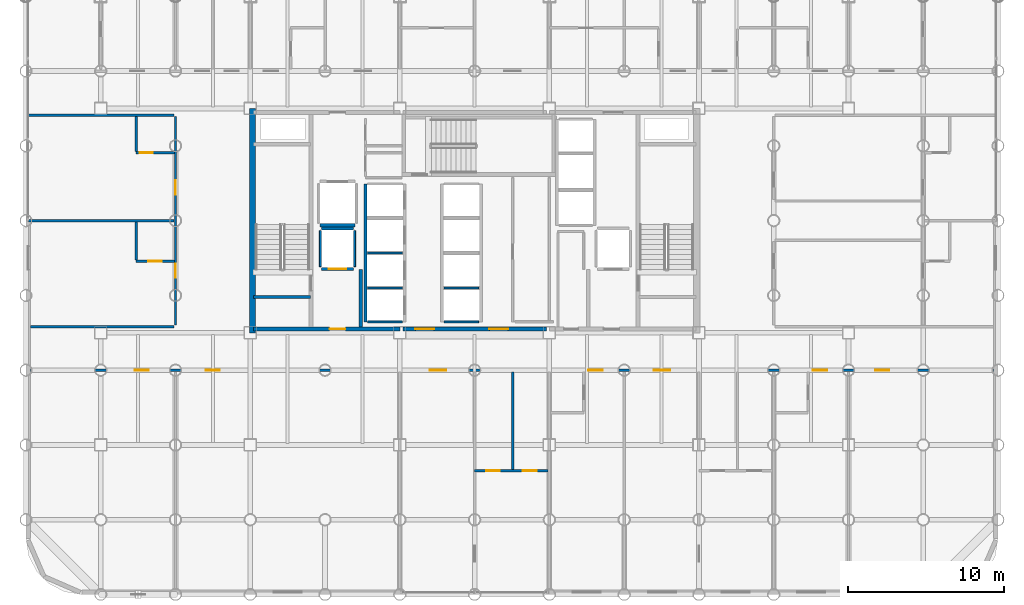
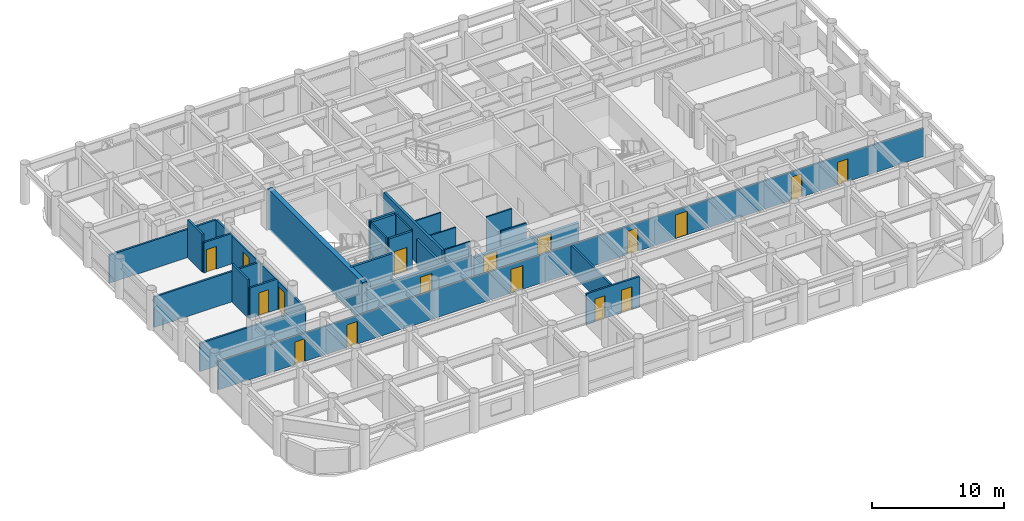
# One storey, part 15 of 20: 27 walls, 17 doors, 17 openings.
"""IFC4 building model written with IfcOpenShell, lengths in metres."""

import ifcopenshell
import ifcopenshell.guid

model = None  # the IFC model being written
_history = None  # IfcOwnerHistory: only IFC2X3 demands one
_inside = {}  # id of a spatial element -> (the spatial element, [elements in it])
_under = {}  # id of a project, library or spatial element -> (it, [spatial elements below it])
_declared = {}  # id of a project -> (the project, [libraries it declares])
_typed = {}  # id of a type object -> (the type object, [elements of that type])
_made_of = {}  # id of a material, layer set ... -> (it, [elements and type objects made of it])


def new_model(schema):
    """Start an empty IFC model of exactly this schema.

    Asked for "IFC4X3", IfcOpenShell would pick the latest addendum, in which some entities
    have other attributes; the version numbers below select the first issue.
    IFC2X3 requires an IfcOwnerHistory on every rooted entity: one is made here for all.
    """
    global model, _history
    if schema == "IFC4X3":
        model = ifcopenshell.file(schema_version=(4, 3, 0, 0))
    else:
        model = ifcopenshell.file(schema=schema)
    _inside.clear()
    _under.clear()
    _declared.clear()
    _typed.clear()
    _made_of.clear()
    _history = None
    if model.schema == "IFC2X3":
        org = make("IfcOrganization", Name="unknown")
        user = make(
            "IfcPersonAndOrganization",
            ThePerson=make("IfcPerson", FamilyName="unknown"),
            TheOrganization=org,
        )
        app = make(
            "IfcApplication",
            ApplicationDeveloper=org,
            Version="unknown",
            ApplicationFullName="unknown",
            ApplicationIdentifier="unknown",
        )
        _history = make(
            "IfcOwnerHistory",
            OwningUser=user,
            OwningApplication=app,
            ChangeAction="ADDED",
            CreationDate=0,
        )
    return model


def make(cls, **values):
    """One entity of the class cls with the attributes given. An attribute that is None is left unset."""
    return model.create_entity(
        cls, **{name: value for name, value in values.items() if value is not None}
    )


def rooted(cls, **values):
    """An entity with a GlobalId (a new one), such as an element, a storey or a relation."""
    return make(cls, GlobalId=ifcopenshell.guid.new(), OwnerHistory=_history, **values)


def si_unit(unit_type, name, prefix=None):
    """IfcSIUnit, for example si_unit("LENGTHUNIT", "METRE", prefix="MILLI")."""
    return make("IfcSIUnit", UnitType=unit_type, Prefix=prefix, Name=name)


def assignment(units):
    """IfcUnitAssignment: the units of a project."""
    return None if units is None else make("IfcUnitAssignment", Units=units)


def point(xyz):
    """IfcCartesianPoint."""
    return None if xyz is None else make("IfcCartesianPoint", Coordinates=xyz)


def direction(xyz):
    """IfcDirection."""
    return None if xyz is None else make("IfcDirection", DirectionRatios=xyz)


def frame(location, z_axis=None, x_axis=None):
    """IfcAxis2Placement3D, a coordinate frame: its origin and axes. An axis left out is left unset."""
    return make(
        "IfcAxis2Placement3D",
        Location=point(location),
        Axis=direction(z_axis),
        RefDirection=direction(x_axis),
    )


def frame_2d(location, x_axis=None):
    """IfcAxis2Placement2D, a coordinate frame in the plane: its origin and x axis."""
    return make(
        "IfcAxis2Placement2D", Location=point(location), RefDirection=direction(x_axis)
    )


def origin():
    """The frame at (0, 0, 0) with its axes left unset."""
    return frame((0.0, 0.0, 0.0))


def place(relative_to, where):
    """IfcLocalPlacement: puts the frame where relative to a parent placement (None: the world)."""
    return make(
        "IfcLocalPlacement", PlacementRelTo=relative_to, RelativePlacement=where
    )


def context(
    kind, dimensions, precision=None, world=None, true_north=None, identifier=None
):
    """IfcGeometricRepresentationContext, for example the 3D "Model" context."""
    return make(
        "IfcGeometricRepresentationContext",
        ContextIdentifier=identifier,
        ContextType=kind,
        CoordinateSpaceDimension=dimensions,
        Precision=precision,
        WorldCoordinateSystem=world,
        TrueNorth=true_north,
    )


def subcontext(parent, identifier, kind, view, scale=None):
    """IfcGeometricRepresentationSubContext, for example "Body" below "Model"."""
    return make(
        "IfcGeometricRepresentationSubContext",
        ContextIdentifier=identifier,
        ContextType=kind,
        ParentContext=parent,
        TargetScale=scale,
        TargetView=view,
    )


def project(units=None, contexts=None):
    """IfcProject with its units and contexts."""
    return rooted(
        "IfcProject",
        Name="project",
        RepresentationContexts=contexts,
        UnitsInContext=assignment(units),
    )


def spatial(cls, under=None, at=None, **own):
    """A site, building, storey or space (cls), placed at a placement, below another one or the project."""
    s = rooted(cls, ObjectPlacement=at, **own)
    if under is not None:
        _under.setdefault(under.id(), (under, []))[1].append(s)
    return s


def profile(cls, at=None, kind="AREA", **sizes):
    """A parametric profile (cls). Its sizes go by their IFC names, for example OverallWidth=200.0."""
    return make(cls, ProfileType=kind, Position=at, **sizes)


def rectangle(**sizes):
    """IfcRectangleProfileDef."""
    return profile("IfcRectangleProfileDef", **sizes)


def extrude(swept, where, along, depth):
    """IfcExtrudedAreaSolid: the profile swept, set in the frame where, extruded along a direction by depth."""
    return make(
        "IfcExtrudedAreaSolid",
        SweptArea=swept,
        Position=where,
        ExtrudedDirection=direction(along),
        Depth=depth,
    )


def shape(context_of_items, identifier, shape_type, items):
    """IfcShapeRepresentation: the items that make up one representation, for example the "Body"."""
    return make(
        "IfcShapeRepresentation",
        ContextOfItems=context_of_items,
        RepresentationIdentifier=identifier,
        RepresentationType=shape_type,
        Items=items,
    )


def material(Name=None, Category=None):
    """IfcMaterial."""
    return make("IfcMaterial", Name=Name, Category=Category)


def layer(
    of_material, thickness, ventilated=None, Name=None, Category=None, Priority=None
):
    """IfcMaterialLayer: one layer of a wall or slab, of a material (None: an air gap)."""
    return make(
        "IfcMaterialLayer",
        Material=of_material,
        LayerThickness=thickness,
        IsVentilated=ventilated,
        Name=Name,
        Category=Category,
        Priority=Priority,
    )


def layer_set(layers, Name=None):
    """IfcMaterialLayerSet."""
    return make("IfcMaterialLayerSet", MaterialLayers=layers, LayerSetName=Name)


def made_of(thing, what):
    """Note that an element or type object is made of a material, layer set ...; save() writes the relation."""
    if what is not None:
        _made_of.setdefault(what.id(), (what, []))[1].append(thing)
    return thing


def type_object(cls, material=None, **own):
    """A type object (cls), such as IfcWallType, which elements share."""
    return made_of(rooted(cls, **own), material)


def element(
    cls,
    number,
    at=None,
    inside=None,
    cuts=None,
    type_object=None,
    material=None,
    context=None,
    identifier="Body",
    shape_type=None,
    held_by="IfcProductDefinitionShape",
    body=None,
    shapes=None,
    **own,
):
    """One element of the class cls, such as IfcWall. Its Tag is "e" and its number.

    at: its placement. inside: the storey or other place that contains it. cuts: it is an
    opening in that element (IfcRelVoidsElement). A single representation is given by context,
    identifier, shape_type and body (its items); several are given by shapes. held_by: the class
    of the entity that holds the representations. save() writes the other relations.
    """
    e = rooted(cls, Tag="e%d" % number, ObjectPlacement=at, **own)
    if body is not None:
        shapes = [shape(context, identifier, shape_type, body)]
    if shapes is not None:
        e.Representation = make(held_by, Representations=shapes)
    if inside is not None:
        _inside.setdefault(inside.id(), (inside, []))[1].append(e)
    if cuts is not None:
        rooted(
            "IfcRelVoidsElement", RelatingBuildingElement=cuts, RelatedOpeningElement=e
        )
    if type_object is not None:
        _typed.setdefault(type_object.id(), (type_object, []))[1].append(e)
    return made_of(e, material)


def fill(opening, filler):
    """IfcRelFillsElement: the door or window that sits in an opening."""
    return rooted(
        "IfcRelFillsElement",
        RelatingOpeningElement=opening,
        RelatedBuildingElement=filler,
    )


def aggregate(whole, parts):
    """IfcRelAggregates: a whole, such as a stair, and the parts it consists of."""
    return rooted("IfcRelAggregates", RelatingObject=whole, RelatedObjects=parts)


def save(model, path):
    """Write the relations noted so far, then the file.

    IfcRelAggregates (storeys below a building ...), IfcRelContainedInSpatialStructure (elements
    in a storey), IfcRelDefinesByType, IfcRelAssociatesMaterial and IfcRelDeclares: one each for
    every whole, place, type object, material and project.
    """
    for whole, parts in _under.values():
        aggregate(whole, parts)
    for where, things in _inside.values():
        rooted(
            "IfcRelContainedInSpatialStructure",
            RelatedElements=things,
            RelatingStructure=where,
        )
    for kind, things in _typed.values():
        rooted("IfcRelDefinesByType", RelatedObjects=things, RelatingType=kind)
    for what, things in _made_of.values():
        rooted("IfcRelAssociatesMaterial", RelatedObjects=things, RelatingMaterial=what)
    for by, libraries in _declared.values():
        rooted("IfcRelDeclares", RelatingContext=by, RelatedDefinitions=libraries)
    model.write(path)


model = new_model("IFC4")

# Units and contexts
model_context = context("Model", 3, precision=1e-05, world=origin(), true_north=direction((0.0, 1.0)))
body_context = subcontext(model_context, "Body", "Model", "MODEL_VIEW")
ifc_project = project(units=[si_unit("LENGTHUNIT", "METRE"), si_unit("AREAUNIT", "SQUARE_METRE"), si_unit("VOLUMEUNIT", "CUBIC_METRE"), si_unit("PLANEANGLEUNIT", "RADIAN"), si_unit("MASSUNIT", "GRAM", prefix="KILO")], contexts=[model_context])

# Site, building, storey
site_placement = place(None, origin())
site = spatial("IfcSite", under=ifc_project, at=site_placement, CompositionType="ELEMENT")
building_placement = place(site_placement, origin())
building = spatial("IfcBuilding", under=site, at=building_placement, Name="Kallvorn Hotel Tower", CompositionType="ELEMENT")
storey_placement = place(building_placement, frame((0.0, 0.0, 78.10009765625)))
storey = spatial("IfcBuildingStorey", under=building, at=storey_placement, Name="L18", CompositionType="ELEMENT", Elevation=78.10009765625)

# Wall
ifc_material_1 = material(Name="Concrete C50/60", Category="concrete")
ifc_layer_1 = layer(ifc_material_1, 0.39990234375)
ifc_layer_set_1 = layer_set([ifc_layer_1], Name="WL_CORE_400")
wall_type_1 = type_object("IfcWallType", Name="WL_CORE_400", PredefinedType="SHEAR", material=ifc_layer_set_1)
wall_1_placement = place(storey_placement, frame((-14.264892578125, -7.199951171875, -0.18017578125), z_axis=(0.0, 0.0, 1.0), x_axis=(0.0, 1.0, 0.0)))
element("IfcWall", 1, at=wall_1_placement, inside=storey, type_object=wall_type_1, Name="L18 Core West Shear Wall", PredefinedType="SHEAR", context=body_context, shape_type="SweptSolid", body=[
    extrude(rectangle(XDim=14.39990234375, YDim=0.39990234375, at=frame_2d((7.199951171875, 0.0))), origin(), (0.0, 0.0, 1.0), 3.7001953125),
])

# Wall, openings, doors
ifc_material_2 = material(Name="Fire-rated double-layer acoustic gypsum drywall EI 60")
ifc_layer_2 = layer(ifc_material_2, 0.159912109375)
ifc_layer_set_2 = layer_set([ifc_layer_2], Name="WL_DEMISE_160")
wall_type_2 = type_object("IfcWallType", Name="WL_DEMISE_160", PredefinedType="PARTITIONING", material=ifc_layer_set_2)
wall_2_placement = place(storey_placement, frame((0.0, -16.050048828125, 0.0), z_axis=(0.0, 0.0, 1.0), x_axis=(1.0, 0.0, 0.0)))
wall_2 = element("IfcWall", 2, at=wall_2_placement, inside=storey, type_object=wall_type_2, Name="L18 Suite 1805 Executive Bedroom Partition", PredefinedType="PARTITIONING", context=body_context, shape_type="SweptSolid", body=[
    extrude(rectangle(XDim=4.719970703125, YDim=0.159912109375, at=frame_2d((2.35986328125, 0.0))), origin(), (0.0, 0.0, 1.0), 2.81982421875),
])
opening_1_placement = place(wall_2_placement, frame((0.75, 0.0, 0.0)))
opening_1 = element("IfcOpeningElement", 3, at=opening_1_placement, cuts=wall_2, Name="Opening BD-I", PredefinedType="OPENING", context=body_context, shape_type="SweptSolid", body=[
    extrude(rectangle(XDim=0.860107421875, YDim=2.10009765625, at=frame_2d((0.43017578125, 1.050048828125))), frame((0.0, 0.094970703125, 0.0), z_axis=(0.0, -1.0, 0.0), x_axis=(1.0, 0.0, 0.0)), (0.0, 0.0, 1.0), 0.18994140625),
])
opening_2_placement = place(wall_2_placement, frame((3.090087890625, 0.0, 0.0)))
opening_2 = element("IfcOpeningElement", 4, at=opening_2_placement, cuts=wall_2, Name="Opening SVD1", PredefinedType="OPENING", context=body_context, shape_type="SweptSolid", body=[
    extrude(rectangle(XDim=0.89990234375, YDim=2.10009765625, at=frame_2d((0.449951171875, 1.050048828125))), frame((0.0, 0.094970703125, 0.0), z_axis=(0.0, -1.0, 0.0), x_axis=(1.0, 0.0, 0.0)), (0.0, 0.0, 1.0), 0.18994140625),
])
ifc_material_3 = material(Name="Solid-core walnut veneer fire-rated timber door leaf", Category="wood")
door_type_1 = type_object("IfcDoorType", Name="DR_BATH_860x2100", OperationType="NOTDEFINED", PredefinedType="DOOR", material=ifc_material_3)
door_1_placement = place(opening_1_placement, origin())
door_1 = element("IfcDoor", 5, at=door_1_placement, inside=storey, type_object=door_type_1, Name="L18 Suite 1805 En-Suite Bathroom Door", OperationType="SINGLE_SWING_RIGHT", OverallHeight=2.10009765625, OverallWidth=0.860107421875, PredefinedType="DOOR", context=body_context, shape_type="SweptSolid", body=[
    extrude(rectangle(XDim=0.860107421875, YDim=2.10009765625, at=frame_2d((0.43017578125, 1.050048828125))), frame((0.0, 0.02490234375, 0.0), z_axis=(0.0, -1.0, 0.0), x_axis=(1.0, 0.0, 0.0)), (0.0, 0.0, 1.0), 0.050048828125),
])
fill(opening_1, door_1)
ifc_material_4 = material(Name="Galvanised painted steel fire-rated door assembly", Category="steel")
door_type_2 = type_object("IfcDoorType", Name="DR_SERV_900x2100", OperationType="NOTDEFINED", PredefinedType="DOOR", material=ifc_material_4)
door_2_placement = place(opening_2_placement, origin())
door_2 = element("IfcDoor", 6, at=door_2_placement, inside=storey, type_object=door_type_2, Name="L18 Suite 1805 Walk-In Dressing Closet Door", OperationType="SINGLE_SWING_LEFT", OverallHeight=2.10009765625, OverallWidth=0.89990234375, PredefinedType="DOOR", context=body_context, shape_type="SweptSolid", body=[
    extrude(rectangle(XDim=0.89990234375, YDim=2.10009765625, at=frame_2d((0.449951171875, 1.050048828125))), frame((0.0, 0.02490234375, 0.0), z_axis=(0.0, -1.0, 0.0), x_axis=(1.0, 0.0, 0.0)), (0.0, 0.0, 1.0), 0.050048828125),
])
fill(opening_2, door_2)

wall_3_placement = place(storey_placement, frame((-28.510009765625, -9.60009765625, 0.0), z_axis=(0.0, 0.0, 1.0), x_axis=(1.0, 0.0, 0.0)))
wall_3 = element("IfcWall", 7, at=wall_3_placement, inside=storey, type_object=wall_type_2, Name="L18 Suite 1805 Executive Living Salon Partition", PredefinedType="PARTITIONING", context=body_context, shape_type="SweptSolid", body=[
    extrude(rectangle(XDim=61.820068359375, YDim=0.159912109375, at=frame_2d((30.91015625, 0.0))), origin(), (0.0, 0.0, 1.0), 2.619873046875),
])
opening_3_placement = place(wall_3_placement, frame((6.679443359375, 0.0, 0.0)))
opening_3 = element("IfcOpeningElement", 8, at=opening_3_placement, cuts=wall_3, Name="Opening SVD1", PredefinedType="OPENING", context=body_context, shape_type="SweptSolid", body=[
    extrude(rectangle(XDim=0.89990234375, YDim=2.10009765625, at=frame_2d((0.449951171875, 1.050048828125))), frame((0.0, 0.094970703125, 0.0), z_axis=(0.0, -1.0, 0.0), x_axis=(1.0, 0.0, 0.0)), (0.0, 0.0, 1.0), 0.18994140625),
])
opening_4_placement = place(wall_3_placement, frame((54.240478515625, 0.0, 0.0)))
opening_4 = element("IfcOpeningElement", 9, at=opening_4_placement, cuts=wall_3, Name="Opening SVD1", PredefinedType="OPENING", context=body_context, shape_type="SweptSolid", body=[
    extrude(rectangle(XDim=0.89990234375, YDim=2.10009765625, at=frame_2d((0.449951171875, 1.050048828125))), frame((0.0, 0.094970703125, 0.0), z_axis=(0.0, -1.0, 0.0), x_axis=(1.0, 0.0, 0.0)), (0.0, 0.0, 1.0), 0.18994140625),
])
opening_5_placement = place(wall_3_placement, frame((11.260009765625, 0.0, 0.0)))
opening_5 = element("IfcOpeningElement", 10, at=opening_5_placement, cuts=wall_3, Name="Opening SVD1", PredefinedType="OPENING", context=body_context, shape_type="SweptSolid", body=[
    extrude(rectangle(XDim=0.89990234375, YDim=2.10009765625, at=frame_2d((0.449951171875, 1.050048828125))), frame((0.0, 0.094970703125, 0.0), z_axis=(0.0, -1.0, 0.0), x_axis=(1.0, 0.0, 0.0)), (0.0, 0.0, 1.0), 0.18994140625),
])
opening_6_placement = place(wall_3_placement, frame((25.625, 0.0, 0.0)))
opening_6 = element("IfcOpeningElement", 11, at=opening_6_placement, cuts=wall_3, Name="Opening GD2", PredefinedType="OPENING", context=body_context, shape_type="SweptSolid", body=[
    extrude(rectangle(XDim=1.050048828125, YDim=2.199951171875, at=frame_2d((0.52490234375, 1.10009765625))), frame((0.0, 0.094970703125, 0.0), z_axis=(0.0, -1.0, 0.0), x_axis=(1.0, 0.0, 0.0)), (0.0, 0.0, 1.0), 0.18994140625),
])
opening_7_placement = place(wall_3_placement, frame((35.820068359375, 0.0, 0.0)))
opening_7 = element("IfcOpeningElement", 12, at=opening_7_placement, cuts=wall_3, Name="Opening GD1", PredefinedType="OPENING", context=body_context, shape_type="SweptSolid", body=[
    extrude(rectangle(XDim=0.919921875, YDim=2.14990234375, at=frame_2d((0.4599609375, 1.074951171875))), frame((0.0, 0.094970703125, 0.0), z_axis=(0.0, -1.0, 0.0), x_axis=(1.0, 0.0, 0.0)), (0.0, 0.0, 1.0), 0.18994140625),
])
opening_8_placement = place(wall_3_placement, frame((40.02490234375, 0.0, 0.0)))
opening_8 = element("IfcOpeningElement", 13, at=opening_8_placement, cuts=wall_3, Name="Opening GD2", PredefinedType="OPENING", context=body_context, shape_type="SweptSolid", body=[
    extrude(rectangle(XDim=1.050048828125, YDim=2.199951171875, at=frame_2d((0.52490234375, 1.10009765625))), frame((0.0, 0.094970703125, 0.0), z_axis=(0.0, -1.0, 0.0), x_axis=(1.0, 0.0, 0.0)), (0.0, 0.0, 1.0), 0.18994140625),
])
opening_9_placement = place(wall_3_placement, frame((50.219970703125, 0.0, 0.0)))
opening_9 = element("IfcOpeningElement", 14, at=opening_9_placement, cuts=wall_3, Name="Opening GD1", PredefinedType="OPENING", context=body_context, shape_type="SweptSolid", body=[
    extrude(rectangle(XDim=0.919921875, YDim=2.14990234375, at=frame_2d((0.4599609375, 1.074951171875))), frame((0.0, 0.094970703125, 0.0), z_axis=(0.0, -1.0, 0.0), x_axis=(1.0, 0.0, 0.0)), (0.0, 0.0, 1.0), 0.18994140625),
])
ifc_material_5 = material(Name="Solid-core walnut veneer fire-rated timber door leaf", Category="wood")
door_type_3 = type_object("IfcDoorType", Name="DR_GUEST_920x2150", OperationType="NOTDEFINED", PredefinedType="DOOR", material=ifc_material_5)
door_3_placement = place(opening_7_placement, origin())
door_3 = element("IfcDoor", 15, at=door_3_placement, inside=storey, type_object=door_type_3, Name="L18 Suite 1806 Deluxe King Room Door", OperationType="SINGLE_SWING_RIGHT", OverallHeight=2.14990234375, OverallWidth=0.919921875, PredefinedType="DOOR", context=body_context, shape_type="SweptSolid", body=[
    extrude(rectangle(XDim=0.919921875, YDim=2.14990234375, at=frame_2d((0.4599609375, 1.074951171875))), frame((0.0, 0.02490234375, 0.0), z_axis=(0.0, -1.0, 0.0), x_axis=(1.0, 0.0, 0.0)), (0.0, 0.0, 1.0), 0.050048828125),
])
fill(opening_7, door_3)
door_4_placement = place(opening_9_placement, origin())
door_4 = element("IfcDoor", 16, at=door_4_placement, inside=storey, type_object=door_type_3, Name="L18 Suite 1808 Superior Twin Room Door", OperationType="SINGLE_SWING_RIGHT", OverallHeight=2.14990234375, OverallWidth=0.919921875, PredefinedType="DOOR", context=body_context, shape_type="SweptSolid", body=[
    extrude(rectangle(XDim=0.919921875, YDim=2.14990234375, at=frame_2d((0.4599609375, 1.074951171875))), frame((0.0, 0.02490234375, 0.0), z_axis=(0.0, -1.0, 0.0), x_axis=(1.0, 0.0, 0.0)), (0.0, 0.0, 1.0), 0.050048828125),
])
fill(opening_9, door_4)
door_5_placement = place(opening_3_placement, origin())
door_5 = element("IfcDoor", 17, at=door_5_placement, inside=storey, type_object=door_type_2, Name="L18 L18 South-West Botanical Bar Door", OperationType="SINGLE_SWING_RIGHT", OverallHeight=2.10009765625, OverallWidth=0.89990234375, PredefinedType="DOOR", context=body_context, shape_type="SweptSolid", body=[
    extrude(rectangle(XDim=0.89990234375, YDim=2.10009765625, at=frame_2d((0.449951171875, 1.050048828125))), frame((0.0, 0.02490234375, 0.0), z_axis=(0.0, -1.0, 0.0), x_axis=(1.0, 0.0, 0.0)), (0.0, 0.0, 1.0), 0.050048828125),
])
fill(opening_3, door_5)
door_6_placement = place(opening_4_placement, origin())
door_6 = element("IfcDoor", 18, at=door_6_placement, inside=storey, type_object=door_type_2, Name="L18 L18 South-East Sommelier Bar Door", OperationType="SINGLE_SWING_RIGHT", OverallHeight=2.10009765625, OverallWidth=0.89990234375, PredefinedType="DOOR", context=body_context, shape_type="SweptSolid", body=[
    extrude(rectangle(XDim=0.89990234375, YDim=2.10009765625, at=frame_2d((0.449951171875, 1.050048828125))), frame((0.0, 0.02490234375, 0.0), z_axis=(0.0, -1.0, 0.0), x_axis=(1.0, 0.0, 0.0)), (0.0, 0.0, 1.0), 0.050048828125),
])
fill(opening_4, door_6)
door_7_placement = place(opening_5_placement, origin())
door_7 = element("IfcDoor", 19, at=door_7_placement, inside=storey, type_object=door_type_2, Name="L18 L18 Panoramic Club Sky Lounge 1 Door", OperationType="SINGLE_SWING_LEFT", OverallHeight=2.10009765625, OverallWidth=0.89990234375, PredefinedType="DOOR", context=body_context, shape_type="SweptSolid", body=[
    extrude(rectangle(XDim=0.89990234375, YDim=2.10009765625, at=frame_2d((0.449951171875, 1.050048828125))), frame((0.0, 0.02490234375, 0.0), z_axis=(0.0, -1.0, 0.0), x_axis=(1.0, 0.0, 0.0)), (0.0, 0.0, 1.0), 0.050048828125),
])
fill(opening_5, door_7)
ifc_material_6 = material(Name="Solid-core walnut veneer fire-rated timber door leaf", Category="wood")
door_type_4 = type_object("IfcDoorType", Name="DR_SUITE_1050x2200", OperationType="NOTDEFINED", PredefinedType="DOOR", material=ifc_material_6)
door_8_placement = place(opening_6_placement, origin())
door_8 = element("IfcDoor", 20, at=door_8_placement, inside=storey, type_object=door_type_4, Name="L18 Suite 1805 Executive Living Salon Door", OperationType="SINGLE_SWING_RIGHT", OverallHeight=2.199951171875, OverallWidth=1.050048828125, PredefinedType="DOOR", context=body_context, shape_type="SweptSolid", body=[
    extrude(rectangle(XDim=1.050048828125, YDim=2.199951171875, at=frame_2d((0.52490234375, 1.10009765625))), frame((0.0, 0.02490234375, 0.0), z_axis=(0.0, -1.0, 0.0), x_axis=(1.0, 0.0, 0.0)), (0.0, 0.0, 1.0), 0.050048828125),
])
fill(opening_6, door_8)
door_9_placement = place(opening_8_placement, origin())
door_9 = element("IfcDoor", 21, at=door_9_placement, inside=storey, type_object=door_type_4, Name="L18 Suite 1807 Executive Living Salon Door", OperationType="SINGLE_SWING_LEFT", OverallHeight=2.199951171875, OverallWidth=1.050048828125, PredefinedType="DOOR", context=body_context, shape_type="SweptSolid", body=[
    extrude(rectangle(XDim=1.050048828125, YDim=2.199951171875, at=frame_2d((0.52490234375, 1.10009765625))), frame((0.0, 0.02490234375, 0.0), z_axis=(0.0, -1.0, 0.0), x_axis=(1.0, 0.0, 0.0)), (0.0, 0.0, 1.0), 0.050048828125),
])
fill(opening_8, door_9)

# Wall
wall_4_placement = place(storey_placement, frame((-28.510009765625, -6.800048828125, 0.0), z_axis=(0.0, 0.0, 1.0), x_axis=(1.0, 0.0, 0.0)))
element("IfcWall", 22, at=wall_4_placement, inside=storey, type_object=wall_type_2, Name="L18 Suite 1801 W Loggia King Room Partition", PredefinedType="PARTITIONING", context=body_context, shape_type="SweptSolid", body=[
    extrude(rectangle(XDim=9.22998046875, YDim=0.159912109375, at=frame_2d((4.614990234375, 0.0))), origin(), (0.0, 0.0, 1.0), 2.619873046875),
])

# Wall, opening, door
wall_5_placement = place(storey_placement, frame((-21.72998046875, -2.60009765625, 0.0), z_axis=(0.0, 0.0, 1.0), x_axis=(1.0, 0.0, 0.0)))
wall_5 = element("IfcWall", 23, at=wall_5_placement, inside=storey, type_object=wall_type_2, Name="L18 Suite 1801 W Loggia King Room Partition", PredefinedType="PARTITIONING", context=body_context, shape_type="SweptSolid", body=[
    extrude(rectangle(XDim=2.449951171875, YDim=0.159912109375, at=frame_2d((1.22509765625, 0.0))), origin(), (0.0, 0.0, 1.0), 2.81982421875),
])
opening_10_placement = place(wall_5_placement, frame((0.794921875, 0.0, 0.0)))
opening_10 = element("IfcOpeningElement", 24, at=opening_10_placement, cuts=wall_5, Name="Opening BD-I", PredefinedType="OPENING", context=body_context, shape_type="SweptSolid", body=[
    extrude(rectangle(XDim=0.860107421875, YDim=2.10009765625, at=frame_2d((0.43017578125, 1.050048828125))), frame((0.0, 0.094970703125, 0.0), z_axis=(0.0, -1.0, 0.0), x_axis=(1.0, 0.0, 0.0)), (0.0, 0.0, 1.0), 0.18994140625),
])
door_10_placement = place(opening_10_placement, origin())
door_10 = element("IfcDoor", 25, at=door_10_placement, inside=storey, type_object=door_type_1, Name="L18 Suite 1801 En-Suite Bathroom Door", OperationType="SINGLE_SWING_LEFT", OverallHeight=2.10009765625, OverallWidth=0.860107421875, PredefinedType="DOOR", context=body_context, shape_type="SweptSolid", body=[
    extrude(rectangle(XDim=0.860107421875, YDim=2.10009765625, at=frame_2d((0.43017578125, 1.050048828125))), frame((0.0, 0.02490234375, 0.0), z_axis=(0.0, -1.0, 0.0), x_axis=(1.0, 0.0, 0.0)), (0.0, 0.0, 1.0), 0.050048828125),
])
fill(opening_10, door_10)

# Wall
wall_6_placement = place(storey_placement, frame((-28.6298828125, 0.0, 0.0), z_axis=(0.0, 0.0, 1.0), x_axis=(1.0, 0.0, 0.0)))
element("IfcWall", 26, at=wall_6_placement, inside=storey, type_object=wall_type_2, Name="L18 Suite 1802 W Andean Twin Room Partition", PredefinedType="PARTITIONING", context=body_context, shape_type="SweptSolid", body=[
    extrude(rectangle(XDim=9.349853515625, YDim=0.159912109375, at=frame_2d((4.6748046875, 0.0))), origin(), (0.0, 0.0, 1.0), 2.81982421875),
])

# Wall, opening, door
wall_7_placement = place(storey_placement, frame((-21.72998046875, 4.35009765625, 0.0), z_axis=(0.0, 0.0, 1.0), x_axis=(1.0, 0.0, 0.0)))
wall_7 = element("IfcWall", 27, at=wall_7_placement, inside=storey, type_object=wall_type_2, Name="L18 Suite 1802 W Andean Twin Room Partition", PredefinedType="PARTITIONING", context=body_context, shape_type="SweptSolid", body=[
    extrude(rectangle(XDim=2.449951171875, YDim=0.159912109375, at=frame_2d((1.22509765625, 0.0))), origin(), (0.0, 0.0, 1.0), 2.81982421875),
])
opening_11_placement = place(wall_7_placement, frame((0.219970703125, 0.0, 0.0)))
opening_11 = element("IfcOpeningElement", 28, at=opening_11_placement, cuts=wall_7, Name="Opening BD-I", PredefinedType="OPENING", context=body_context, shape_type="SweptSolid", body=[
    extrude(rectangle(XDim=0.860107421875, YDim=2.10009765625, at=frame_2d((0.43017578125, 1.050048828125))), frame((0.0, 0.094970703125, 0.0), z_axis=(0.0, -1.0, 0.0), x_axis=(1.0, 0.0, 0.0)), (0.0, 0.0, 1.0), 0.18994140625),
])
door_11_placement = place(opening_11_placement, origin())
door_11 = element("IfcDoor", 29, at=door_11_placement, inside=storey, type_object=door_type_1, Name="L18 Suite 1802 En-Suite Bathroom Door", OperationType="SINGLE_SWING_RIGHT", OverallHeight=2.10009765625, OverallWidth=0.860107421875, PredefinedType="DOOR", context=body_context, shape_type="SweptSolid", body=[
    extrude(rectangle(XDim=0.860107421875, YDim=2.10009765625, at=frame_2d((0.43017578125, 1.050048828125))), frame((0.0, 0.02490234375, 0.0), z_axis=(0.0, -1.0, 0.0), x_axis=(1.0, 0.0, 0.0)), (0.0, 0.0, 1.0), 0.050048828125),
])
fill(opening_11, door_11)

# Walls
wall_8_placement = place(storey_placement, frame((-28.6298828125, 6.75830078125, 0.0), z_axis=(0.0, 0.0, 1.0), x_axis=(1.0, 0.0, 0.0)))
element("IfcWall", 30, at=wall_8_placement, inside=storey, type_object=wall_type_2, Name="L18 Suite 1802 W Andean Twin Room Partition", PredefinedType="PARTITIONING", context=body_context, shape_type="SweptSolid", body=[
    extrude(rectangle(XDim=9.349853515625, YDim=0.159912109375, at=frame_2d((4.6748046875, 0.0))), origin(), (0.0, 0.0, 1.0), 2.619873046875),
])
wall_9_placement = place(storey_placement, frame((-21.72998046875, -2.514892578125, 0.0), z_axis=(0.0, 0.0, 1.0), x_axis=(0.0, 1.0, 0.0)))
element("IfcWall", 31, at=wall_9_placement, inside=storey, type_object=wall_type_2, Name="L18 Suite 1801 W Loggia King Room Partition", PredefinedType="PARTITIONING", context=body_context, shape_type="SweptSolid", body=[
    extrude(rectangle(XDim=2.414794921875, YDim=0.159912109375, at=frame_2d((1.20751953125, 0.0))), origin(), (0.0, 0.0, 1.0), 3.52001953125),
])
wall_10_placement = place(storey_placement, frame((-21.72998046875, 4.43505859375, 0.0), z_axis=(0.0, 0.0, 1.0), x_axis=(0.0, 1.0, 0.0)))
element("IfcWall", 32, at=wall_10_placement, inside=storey, type_object=wall_type_2, Name="L18 Suite 1802 W Andean Twin Room Partition", PredefinedType="PARTITIONING", context=body_context, shape_type="SweptSolid", body=[
    extrude(rectangle(XDim=2.23828125, YDim=0.159912109375, at=frame_2d((1.119140625, 0.0))), origin(), (0.0, 0.0, 1.0), 3.52001953125),
])

# Wall, openings, doors
wall_11_placement = place(storey_placement, frame((-19.199951171875, -6.715087890625, 0.0), z_axis=(0.0, 0.0, 1.0), x_axis=(0.0, 1.0, 0.0)))
wall_11 = element("IfcWall", 33, at=wall_11_placement, inside=storey, type_object=wall_type_2, Name="L18 Suite 1801 W Loggia King Room Partition", PredefinedType="PARTITIONING", context=body_context, shape_type="SweptSolid", body=[
    extrude(rectangle(XDim=13.388427734375, YDim=0.159912109375, at=frame_2d((6.6943359375, 0.0))), origin(), (0.0, 0.0, 1.0), 2.619873046875),
])
opening_12_placement = place(wall_11_placement, frame((3.034912109375, 0.0, 0.0)))
opening_12 = element("IfcOpeningElement", 34, at=opening_12_placement, cuts=wall_11, Name="Opening GD1", PredefinedType="OPENING", context=body_context, shape_type="SweptSolid", body=[
    extrude(rectangle(XDim=0.919921875, YDim=2.14990234375, at=frame_2d((0.4599609375, 1.074951171875))), frame((0.0, 0.094970703125, 0.0), z_axis=(0.0, -1.0, 0.0), x_axis=(1.0, 0.0, 0.0)), (0.0, 0.0, 1.0), 0.18994140625),
])
opening_13_placement = place(wall_11_placement, frame((8.385009765625, 0.0, 0.0)))
opening_13 = element("IfcOpeningElement", 35, at=opening_13_placement, cuts=wall_11, Name="Opening GD1", PredefinedType="OPENING", context=body_context, shape_type="SweptSolid", body=[
    extrude(rectangle(XDim=0.919921875, YDim=2.14990234375, at=frame_2d((0.4599609375, 1.074951171875))), frame((0.0, 0.094970703125, 0.0), z_axis=(0.0, -1.0, 0.0), x_axis=(1.0, 0.0, 0.0)), (0.0, 0.0, 1.0), 0.18994140625),
])
door_12_placement = place(opening_12_placement, origin())
door_12 = element("IfcDoor", 36, at=door_12_placement, inside=storey, type_object=door_type_3, Name="L18 Suite 1801 W Loggia King Room Door", OperationType="SINGLE_SWING_RIGHT", OverallHeight=2.14990234375, OverallWidth=0.919921875, PredefinedType="DOOR", context=body_context, shape_type="SweptSolid", body=[
    extrude(rectangle(XDim=0.919921875, YDim=2.14990234375, at=frame_2d((0.4599609375, 1.074951171875))), frame((0.0, 0.02490234375, 0.0), z_axis=(0.0, -1.0, 0.0), x_axis=(1.0, 0.0, 0.0)), (0.0, 0.0, 1.0), 0.050048828125),
])
fill(opening_12, door_12)
door_13_placement = place(opening_13_placement, origin())
door_13 = element("IfcDoor", 37, at=door_13_placement, inside=storey, type_object=door_type_3, Name="L18 Suite 1802 W Andean Twin Room Door", OperationType="SINGLE_SWING_RIGHT", OverallHeight=2.14990234375, OverallWidth=0.919921875, PredefinedType="DOOR", context=body_context, shape_type="SweptSolid", body=[
    extrude(rectangle(XDim=0.919921875, YDim=2.14990234375, at=frame_2d((0.4599609375, 1.074951171875))), frame((0.0, 0.02490234375, 0.0), z_axis=(0.0, -1.0, 0.0), x_axis=(1.0, 0.0, 0.0)), (0.0, 0.0, 1.0), 0.050048828125),
])
fill(opening_13, door_13)

# Walls
ifc_material_7 = material(Name="Concrete C40/50", Category="concrete")
ifc_layer_3 = layer(ifc_material_7, 0.219970703125)
ifc_layer_set_3 = layer_set([ifc_layer_3], Name="WL_FFL_220")
wall_type_3 = type_object("IfcWallType", Name="WL_FFL_220", PredefinedType="SOLIDWALL", material=ifc_layer_set_3)
wall_12_placement = place(storey_placement, frame((-7.300048828125, -6.820068359375, 0.0), z_axis=(0.0, 0.0, 1.0), x_axis=(0.0, 1.0, 0.0)))
element("IfcWall", 38, at=wall_12_placement, inside=storey, type_object=wall_type_3, Name="L18 Firefighting Lobby West Divider Wall", PredefinedType="SOLIDWALL", context=body_context, shape_type="SweptSolid", body=[
    extrude(rectangle(XDim=3.670166015625, YDim=0.219970703125, at=frame_2d((1.8349609375, 0.0))), origin(), (0.0, 0.0, 1.0), 2.619873046875),
])
ifc_material_8 = material(Name="Concrete C40/50", Category="concrete")
ifc_layer_4 = layer(ifc_material_8, 0.199951171875)
ifc_layer_set_4 = layer_set([ifc_layer_4], Name="WL_HOIST_200")
wall_type_4 = type_object("IfcWallType", Name="WL_HOIST_200", PredefinedType="SOLIDWALL", material=ifc_layer_set_4)
wall_13_placement = place(storey_placement, frame((-14.199951171875, -4.89990234375, -0.18017578125), z_axis=(0.0, 0.0, 1.0), x_axis=(1.0, 0.0, 0.0)))
element("IfcWall", 39, at=wall_13_placement, inside=storey, type_object=wall_type_4, Name="L18 Stair ST1 South Wall", PredefinedType="SOLIDWALL", context=body_context, shape_type="SweptSolid", body=[
    extrude(rectangle(XDim=3.64990234375, YDim=0.199951171875, at=frame_2d((1.824951171875, 0.0))), origin(), (0.0, 0.0, 1.0), 3.7001953125),
])
wall_14_placement = place(storey_placement, frame((-7.0, -6.5, 0.0), z_axis=(0.0, 0.0, 1.0), x_axis=(0.0, 1.0, 0.0)))
element("IfcWall", 40, at=wall_14_placement, inside=storey, type_object=wall_type_4, Name="L18 Lift Bank B1 Rear Shaft Wall", PredefinedType="SOLIDWALL", context=body_context, shape_type="SweptSolid", body=[
    extrude(rectangle(XDim=8.85009765625, YDim=0.199951171875, at=frame_2d((4.425048828125, 0.0))), origin(), (0.0, 0.0, 1.0), 3.52001953125),
])

# Wall, opening, door
wall_15_placement = place(storey_placement, frame((-9.820068359375, -3.10009765625, 0.0), z_axis=(0.0, 0.0, 1.0), x_axis=(1.0, 0.0, 0.0)))
wall_15 = element("IfcWall", 41, at=wall_15_placement, inside=storey, type_object=wall_type_4, Name="L18 FL-1 Landing Wall", PredefinedType="SOLIDWALL", context=body_context, shape_type="SweptSolid", body=[
    extrude(rectangle(XDim=2.0400390625, YDim=0.199951171875, at=frame_2d((1.02001953125, 0.0))), origin(), (0.0, 0.0, 1.0), 3.52001953125),
])
opening_14_placement = place(wall_15_placement, frame((0.469970703125, 0.0, 0.0)))
opening_14 = element("IfcOpeningElement", 42, at=opening_14_placement, cuts=wall_15, Name="Opening LD-FL-1", PredefinedType="OPENING", context=body_context, shape_type="SweptSolid", body=[
    extrude(rectangle(XDim=1.10009765625, YDim=2.199951171875, at=frame_2d((0.550048828125, 1.10009765625))), frame((0.0, 0.114990234375, 0.0), z_axis=(0.0, -1.0, 0.0), x_axis=(1.0, 0.0, 0.0)), (0.0, 0.0, 1.0), 0.22998046875),
])
ifc_material_9 = material(Name="Brushed stainless-steel automatic sliding lift landing door", Category="steel")
door_type_5 = type_object("IfcDoorType", Name="LD_PASS_1100x2200", OperationType="SLIDING_TO_LEFT", PredefinedType="DOOR", material=ifc_material_9)
door_14_placement = place(opening_14_placement, origin())
door_14 = element("IfcDoor", 43, at=door_14_placement, inside=storey, type_object=door_type_5, Name="L18 Lift Landing Sliding Door LD-FL-1", OperationType="SLIDING_TO_LEFT", OverallHeight=2.199951171875, OverallWidth=1.10009765625, PredefinedType="DOOR", context=body_context, shape_type="SweptSolid", body=[
    extrude(rectangle(XDim=1.10009765625, YDim=2.199951171875, at=frame_2d((0.550048828125, 1.10009765625))), frame((0.0, 0.02490234375, 0.0), z_axis=(0.0, -1.0, 0.0), x_axis=(1.0, 0.0, 0.0)), (0.0, 0.0, 1.0), 0.050048828125),
])
fill(opening_14, door_14)

# Walls
wall_16_placement = place(storey_placement, frame((-9.820068359375, -0.5, 0.0), z_axis=(0.0, 0.0, 1.0), x_axis=(1.0, 0.0, 0.0)))
element("IfcWall", 44, at=wall_16_placement, inside=storey, type_object=wall_type_4, Name="L18 FL-1 Rear Shaft Wall", PredefinedType="SOLIDWALL", context=body_context, shape_type="SweptSolid", body=[
    extrude(rectangle(XDim=2.0400390625, YDim=0.199951171875, at=frame_2d((1.02001953125, 0.0))), origin(), (0.0, 0.0, 1.0), 3.52001953125),
])
wall_17_placement = place(storey_placement, frame((-9.919921875, -0.300048828125, 0.0), z_axis=(0.0, 0.0, 1.0), x_axis=(1.0, 0.0, 0.0)))
element("IfcWall", 45, at=wall_17_placement, inside=storey, type_object=wall_type_4, Name="L18 SV-01 Rear Shaft Wall", PredefinedType="SOLIDWALL", context=body_context, shape_type="SweptSolid", body=[
    extrude(rectangle(XDim=2.239990234375, YDim=0.199951171875, at=frame_2d((1.1201171875, 0.0))), origin(), (0.0, 0.0, 1.0), 3.52001953125),
])
ifc_material_10 = material(Name="Fire-rated double-layer acoustic gypsum drywall EI 60")
ifc_layer_5 = layer(ifc_material_10, 0.1201171875)
ifc_layer_set_5 = layer_set([ifc_layer_5], Name="WL_INT_120")
wall_type_5 = type_object("IfcWallType", Name="WL_INT_120", PredefinedType="PARTITIONING", material=ifc_layer_set_5)
for number, where, z_axis, x_axis, name in (
    (46, (-6.860107421875, -6.5, 0.0), (0.0, 0.0, 1.0), (1.0, 0.0, 0.0), "L18 Lift Bank B1 South Closure Wall"),
    (47, (-6.860107421875, -4.324951171875, 0.0), (0.0, 0.0, 1.0), (1.0, 0.0, 0.0), "L18 PL-01 Hoistway Divider"),
    (48, (-6.860107421875, -2.074951171875, 0.0), (0.0, 0.0, 1.0), (1.0, 0.0, 0.0), "L18 PL-02 Hoistway Divider"),
):
    element("IfcWall", number, at=place(storey_placement, frame(where, z_axis=z_axis, x_axis=x_axis)), inside=storey, type_object=wall_type_5, Name=name, PredefinedType="PARTITIONING", context=body_context, shape_type="SweptSolid", body=[
        extrude(rectangle(XDim=2.22021484375, YDim=0.1201171875, at=frame_2d((1.110107421875, 0.0))), origin(), (0.0, 0.0, 1.0), 3.52001953125),
    ])
for number, where, z_axis, x_axis, name in (
    (49, (-1.9599609375, -6.5, 0.0), (0.0, 0.0, 1.0), (1.0, 0.0, 0.0), "L18 Lift Bank B2 South Closure Wall"),
    (50, (-1.9599609375, -4.324951171875, 0.0), (0.0, 0.0, 1.0), (1.0, 0.0, 0.0), "L18 PL-05 Hoistway Divider"),
):
    element("IfcWall", number, at=place(storey_placement, frame(where, z_axis=z_axis, x_axis=x_axis)), inside=storey, type_object=wall_type_5, Name=name, PredefinedType="PARTITIONING", context=body_context, shape_type="SweptSolid", body=[
        extrude(rectangle(XDim=2.219970703125, YDim=0.1201171875, at=frame_2d((1.10986328125, 0.0))), origin(), (0.0, 0.0, 1.0), 3.52001953125),
    ])
for number, where, z_axis, x_axis, name in (
    (51, (-9.89990234375, -2.9599609375, 0.0), (0.0, 0.0, 1.0), (0.0, 1.0, 0.0), "L18 FL-1 West Shaft Wall"),
    (52, (-7.699951171875, -2.9599609375, 0.0), (0.0, 0.0, 1.0), (0.0, 1.0, 0.0), "L18 FL-1 East Shaft Wall"),
):
    element("IfcWall", number, at=place(storey_placement, frame(where, z_axis=z_axis, x_axis=x_axis)), inside=storey, type_object=wall_type_5, Name=name, PredefinedType="PARTITIONING", context=body_context, shape_type="SweptSolid", body=[
        extrude(rectangle(XDim=2.320068359375, YDim=0.1201171875, at=frame_2d((1.16015625, 0.0))), origin(), (0.0, 0.0, 1.0), 3.52001953125),
    ])
ifc_material_11 = material(Name="Fire-rated double-layer acoustic gypsum drywall EI 60")
ifc_layer_6 = layer(ifc_material_11, 0.14990234375)
ifc_layer_set_6 = layer_set([ifc_layer_6], Name="WL_PART_150")
wall_type_6 = type_object("IfcWallType", Name="WL_PART_150", PredefinedType="PARTITIONING", material=ifc_layer_set_6)
wall_18_placement = place(storey_placement, frame((2.43994140625, -15.965087890625, 0.0), z_axis=(0.0, 0.0, 1.0), x_axis=(0.0, 1.0, 0.0)))
element("IfcWall", 53, at=wall_18_placement, inside=storey, type_object=wall_type_6, Name="L18 Suite 1805 Walk-In Dressing Closet Partition", PredefinedType="PARTITIONING", context=body_context, shape_type="SweptSolid", body=[
    extrude(rectangle(XDim=6.2451171875, YDim=0.14990234375, at=frame_2d((3.12255859375, 0.0))), origin(), (0.0, 0.0, 1.0), 2.619873046875),
])

# Wall, opening, door
ifc_material_12 = material(Name="Concrete C40/50", Category="concrete")
ifc_layer_7 = layer(ifc_material_12, 0.25)
ifc_layer_set_7 = layer_set([ifc_layer_7], Name="WL_SHAFT_250")
wall_type_7 = type_object("IfcWallType", Name="WL_SHAFT_250", PredefinedType="SOLIDWALL", material=ifc_layer_set_7)
wall_19_placement = place(storey_placement, frame((-14.199951171875, -6.949951171875, 0.0), z_axis=(0.0, 0.0, 1.0), x_axis=(1.0, 0.0, 0.0)))
wall_19 = element("IfcWall", 54, at=wall_19_placement, inside=storey, type_object=wall_type_7, Name="L18 Core South-West Wall", PredefinedType="SOLIDWALL", context=body_context, shape_type="SweptSolid", body=[
    extrude(rectangle(XDim=9.39990234375, YDim=0.25, at=frame_2d((4.699951171875, 0.0))), origin(), (0.0, 0.0, 1.0), 2.619873046875),
])
opening_15_placement = place(wall_19_placement, frame((4.89990234375, 0.0, 0.0)))
opening_15 = element("IfcOpeningElement", 55, at=opening_15_placement, cuts=wall_19, Name="Opening FD1", PredefinedType="OPENING", context=body_context, shape_type="SweptSolid", body=[
    extrude(rectangle(XDim=1.0, YDim=2.14990234375, at=frame_2d((0.5, 1.074951171875))), frame((0.0, 0.139892578125, 0.0), z_axis=(0.0, -1.0, 0.0), x_axis=(1.0, 0.0, 0.0)), (0.0, 0.0, 1.0), 0.280029296875),
])
ifc_material_13 = material(Name="Galvanised painted steel fire-rated door assembly", Category="steel")
door_type_6 = type_object("IfcDoorType", Name="DR_FFL_1000x2150", OperationType="NOTDEFINED", PredefinedType="DOOR", material=ifc_material_13)
door_15_placement = place(opening_15_placement, origin())
door_15 = element("IfcDoor", 56, at=door_15_placement, inside=storey, type_object=door_type_6, Name="L18 Firefighting Lobby West Door", OperationType="SINGLE_SWING_LEFT", OverallHeight=2.14990234375, OverallWidth=1.0, PredefinedType="DOOR", context=body_context, shape_type="SweptSolid", body=[
    extrude(rectangle(XDim=1.0, YDim=2.14990234375, at=frame_2d((0.5, 1.074951171875))), frame((0.0, 0.02490234375, 0.0), z_axis=(0.0, -1.0, 0.0), x_axis=(1.0, 0.0, 0.0)), (0.0, 0.0, 1.0), 0.050048828125),
])
fill(opening_15, door_15)

# Wall, openings, doors
wall_20_placement = place(storey_placement, frame((-4.60009765625, -6.949951171875, 0.0), z_axis=(0.0, 0.0, 1.0), x_axis=(1.0, 0.0, 0.0)))
wall_20 = element("IfcWall", 57, at=wall_20_placement, inside=storey, type_object=wall_type_7, Name="L18 Core South-Central Wall", PredefinedType="SOLIDWALL", context=body_context, shape_type="SweptSolid", body=[
    extrude(rectangle(XDim=9.2001953125, YDim=0.25, at=frame_2d((4.60009765625, 0.0))), origin(), (0.0, 0.0, 1.0), 2.31982421875),
])
opening_16_placement = place(wall_20_placement, frame((0.800048828125, 0.0, 0.0)))
opening_16 = element("IfcOpeningElement", 58, at=opening_16_placement, cuts=wall_20, Name="Opening FD2", PredefinedType="OPENING", context=body_context, shape_type="SweptSolid", body=[
    extrude(rectangle(XDim=1.199951171875, YDim=2.199951171875, at=frame_2d((0.60009765625, 1.10009765625))), frame((0.0, 0.139892578125, 0.0), z_axis=(0.0, -1.0, 0.0), x_axis=(1.0, 0.0, 0.0)), (0.0, 0.0, 1.0), 0.280029296875),
])
opening_17_placement = place(wall_20_placement, frame((5.550048828125, 0.0, 0.0)))
opening_17 = element("IfcOpeningElement", 59, at=opening_17_placement, cuts=wall_20, Name="Opening FD2", PredefinedType="OPENING", context=body_context, shape_type="SweptSolid", body=[
    extrude(rectangle(XDim=1.199951171875, YDim=2.199951171875, at=frame_2d((0.60009765625, 1.10009765625))), frame((0.0, 0.139892578125, 0.0), z_axis=(0.0, -1.0, 0.0), x_axis=(1.0, 0.0, 0.0)), (0.0, 0.0, 1.0), 0.280029296875),
])
ifc_material_14 = material(Name="Galvanised painted steel fire-rated door assembly", Category="steel")
door_type_7 = type_object("IfcDoorType", Name="DR_LOBBY_1200x2200", OperationType="DOUBLE_DOOR_SINGLE_SWING", PredefinedType="DOOR", material=ifc_material_14)
door_16_placement = place(opening_16_placement, origin())
door_16 = element("IfcDoor", 60, at=door_16_placement, inside=storey, type_object=door_type_7, Name="L18 West Passenger Lift Lobby Door", OperationType="DOUBLE_DOOR_SINGLE_SWING", OverallHeight=2.199951171875, OverallWidth=1.199951171875, PredefinedType="DOOR", context=body_context, shape_type="SweptSolid", body=[
    extrude(rectangle(XDim=1.199951171875, YDim=2.199951171875, at=frame_2d((0.60009765625, 1.10009765625))), frame((0.0, 0.02490234375, 0.0), z_axis=(0.0, -1.0, 0.0), x_axis=(1.0, 0.0, 0.0)), (0.0, 0.0, 1.0), 0.050048828125),
])
fill(opening_16, door_16)
door_17_placement = place(opening_17_placement, origin())
door_17 = element("IfcDoor", 61, at=door_17_placement, inside=storey, type_object=door_type_7, Name="L18 East Passenger Lift Lobby Door", OperationType="DOUBLE_DOOR_SINGLE_SWING", OverallHeight=2.199951171875, OverallWidth=1.199951171875, PredefinedType="DOOR", context=body_context, shape_type="SweptSolid", body=[
    extrude(rectangle(XDim=1.199951171875, YDim=2.199951171875, at=frame_2d((0.60009765625, 1.10009765625))), frame((0.0, 0.02490234375, 0.0), z_axis=(0.0, -1.0, 0.0), x_axis=(1.0, 0.0, 0.0)), (0.0, 0.0, 1.0), 0.050048828125),
])
fill(opening_17, door_17)

save(model, "model.ifc")
